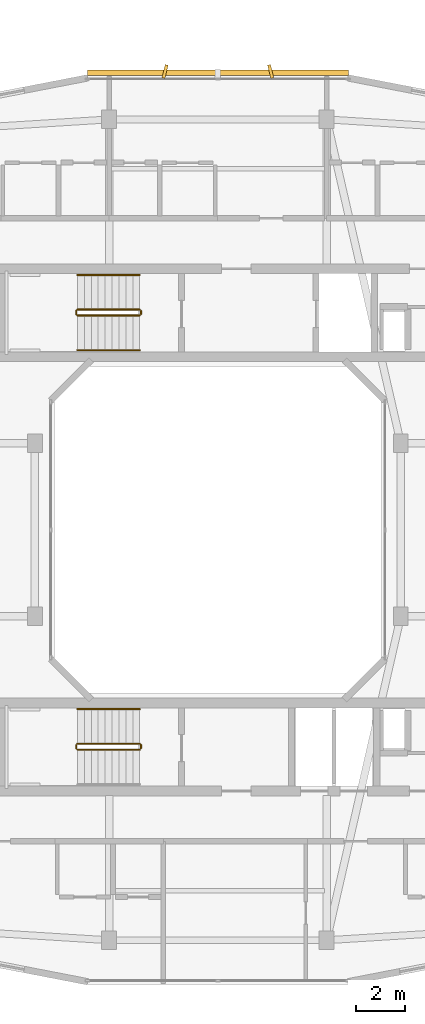
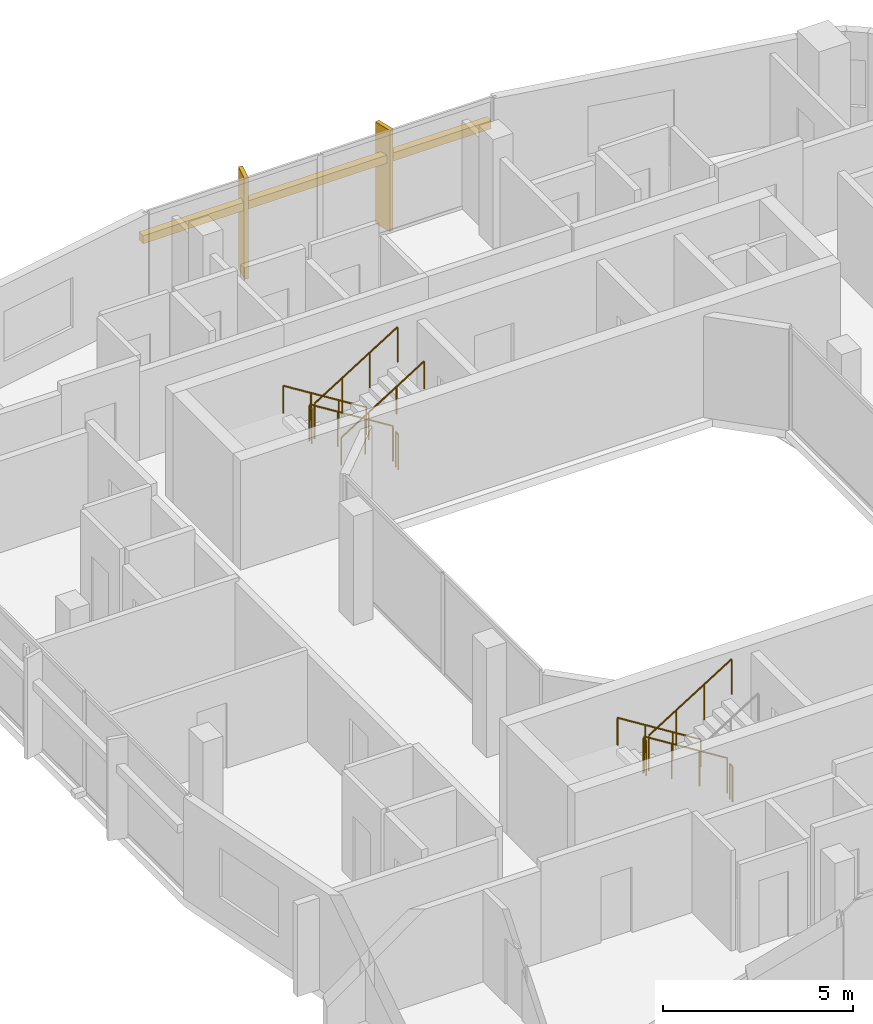
# One storey, part 26 of 26: 11 railings, 3 shading devices.
"""IFC4 building model written with IfcOpenShell, lengths in metres."""

from ifc_helpers import new_model, si_unit, derived_unit, direction, frame, origin, origin_2d, place, context, subcontext, project, spatial, rectangle, circle, extrude, material, type_object, element, save


model = new_model("IFC4")

# Units and contexts
model_context = context("Model", 3, precision=1e-05, world=origin(), true_north=direction((0.0, 1.0)))
body_context = subcontext(model_context, "Body", "Model", "MODEL_VIEW")
ifc_project = project(units=[si_unit("LENGTHUNIT", "METRE"), si_unit("AREAUNIT", "SQUARE_METRE"), si_unit("VOLUMEUNIT", "CUBIC_METRE"), si_unit("PLANEANGLEUNIT", "RADIAN"), si_unit("MASSUNIT", "GRAM", prefix="KILO"), derived_unit("THERMALTRANSMITTANCEUNIT", [(si_unit("POWERUNIT", "WATT"), 1), (si_unit("LENGTHUNIT", "METRE"), -2), (si_unit("THERMODYNAMICTEMPERATUREUNIT", "KELVIN"), -1)])], contexts=[model_context])

# Site, building, storey
site_placement = place(None, origin())
site = spatial("IfcSite", under=ifc_project, at=site_placement, CompositionType="ELEMENT")
building_placement = place(site_placement, origin())
building = spatial("IfcBuilding", under=site, at=building_placement, Name="Kivonza Crest Hotel", CompositionType="ELEMENT")
storey_placement = place(building_placement, frame((0.0, 0.0, 105.5)))
storey = spatial("IfcBuildingStorey", under=building, at=storey_placement, Name="L28", CompositionType="ELEMENT", Elevation=105.5)

# Railings
ifc_material_1 = material(Name="Brushed stainless steel handrail", Category="steel")
railing_type_1 = type_object("IfcRailingType", Name="RL-HAND-900", PredefinedType="HANDRAIL", material=ifc_material_1)
railing_1_placement = place(storey_placement, frame((73.840087890625, 35.31005859375, 0.175048828125)))
element("IfcRailing", 1, at=railing_1_placement, inside=storey, type_object=railing_type_1, Name="L28 ST-T2-N stair handrail 1", PredefinedType="HANDRAIL", context=body_context, shape_type="SweptSolid", body=[
    extrude(circle(Radius=0.02392578125, at=origin_2d()), frame((0.0, 0.0, 0.8759765625), z_axis=(-0.848007534815, 0.0, 0.529984170421), x_axis=(0.0, -1.0, 0.0)), (0.0, 0.0, 1.0), 2.9716796875),
    extrude(circle(Radius=0.02099609375, at=origin_2d()), origin(), (0.0, 0.0, 1.0), 0.851806640625),
    extrude(circle(Radius=0.02099609375, at=origin_2d()), frame((-0.840087890625, 0.0, 0.52490234375)), (0.0, 0.0, 1.0), 0.851806640625),
    extrude(circle(Radius=0.02099609375, at=origin_2d()), frame((-1.679931640625, 0.0, 1.050048828125)), (0.0, 0.0, 1.0), 0.851806640625),
    extrude(circle(Radius=0.02099609375, at=origin_2d()), frame((-2.52001953125, 0.0, 1.574951171875)), (0.0, 0.0, 1.0), 0.851806640625),
])
railing_2_placement = place(storey_placement, frame((71.320068359375, 32.27001953125, 1.925048828125)))
element("IfcRailing", 2, at=railing_2_placement, inside=storey, type_object=railing_type_1, Name="L28 ST-T2-N stair handrail 2", PredefinedType="HANDRAIL", context=body_context, shape_type="SweptSolid", body=[
    extrude(circle(Radius=0.02392578125, at=origin_2d()), frame((0.0, 0.0, 0.8759765625), z_axis=(0.848007534815, 0.0, 0.529984170421), x_axis=(0.0, 1.0, 0.0)), (0.0, 0.0, 1.0), 2.9716796875),
    extrude(circle(Radius=0.02099609375, at=origin_2d()), origin(), (0.0, 0.0, 1.0), 0.851806640625),
    extrude(circle(Radius=0.02099609375, at=origin_2d()), frame((0.840087890625, 0.0, 0.52490234375)), (0.0, 0.0, 1.0), 0.851806640625),
    extrude(circle(Radius=0.02099609375, at=origin_2d()), frame((1.679931640625, 0.0, 1.050048828125)), (0.0, 0.0, 1.0), 0.851806640625),
    extrude(circle(Radius=0.02099609375, at=origin_2d()), frame((2.52001953125, 0.0, 1.574951171875)), (0.0, 0.0, 1.0), 0.851806640625),
])
railing_3_placement = place(storey_placement, frame((73.840087890625, 17.75, 0.175048828125)))
element("IfcRailing", 3, at=railing_3_placement, inside=storey, type_object=railing_type_1, Name="L28 ST-T2-S stair handrail 1", PredefinedType="HANDRAIL", context=body_context, shape_type="SweptSolid", body=[
    extrude(circle(Radius=0.02392578125, at=origin_2d()), frame((0.0, 0.0, 0.8759765625), z_axis=(-0.848007534815, 0.0, 0.529984170421), x_axis=(0.0, -1.0, 0.0)), (0.0, 0.0, 1.0), 2.9716796875),
    extrude(circle(Radius=0.02099609375, at=origin_2d()), origin(), (0.0, 0.0, 1.0), 0.851806640625),
    extrude(circle(Radius=0.02099609375, at=origin_2d()), frame((-0.840087890625, 0.0, 0.52490234375)), (0.0, 0.0, 1.0), 0.851806640625),
    extrude(circle(Radius=0.02099609375, at=origin_2d()), frame((-1.679931640625, 0.0, 1.050048828125)), (0.0, 0.0, 1.0), 0.851806640625),
    extrude(circle(Radius=0.02099609375, at=origin_2d()), frame((-2.52001953125, 0.0, 1.574951171875)), (0.0, 0.0, 1.0), 0.851806640625),
])
ifc_material_2 = material(Name="Painted steel balustrade", Category="steel")
railing_type_2 = type_object("IfcRailingType", Name="RL-STAIR-1150", PredefinedType="BALUSTRADE", material=ifc_material_2)
railing_4_placement = place(storey_placement, frame((73.840087890625, 33.909912109375, 0.175048828125)))
element("IfcRailing", 4, at=railing_4_placement, inside=storey, type_object=railing_type_2, Name="L28 ST-T2-N stair guard 1", PredefinedType="BALUSTRADE", context=body_context, shape_type="SweptSolid", body=[
    extrude(circle(Radius=0.02392578125, at=origin_2d()), frame((0.0, 0.0, 1.1259765625), z_axis=(-0.848007534815, 0.0, 0.529984170421), x_axis=(0.0, -1.0, 0.0)), (0.0, 0.0, 1.0), 2.9716796875),
    extrude(circle(Radius=0.02099609375, at=origin_2d()), origin(), (0.0, 0.0, 1.0), 1.101806640625),
    extrude(circle(Radius=0.02099609375, at=origin_2d()), frame((-0.840087890625, 0.0, 0.52490234375)), (0.0, 0.0, 1.0), 1.101806640625),
    extrude(circle(Radius=0.02099609375, at=origin_2d()), frame((-1.679931640625, 0.0, 1.050048828125)), (0.0, 0.0, 1.0), 1.101806640625),
    extrude(circle(Radius=0.02099609375, at=origin_2d()), frame((-2.52001953125, 0.0, 1.574951171875)), (0.0, 0.0, 1.0), 1.101806640625),
])
railing_5_placement = place(storey_placement, frame((71.27001953125, 33.860107421875, 1.75)))
element("IfcRailing", 5, at=railing_5_placement, inside=storey, type_object=railing_type_2, Name="L28 ST-T2-N stair guard 2", PredefinedType="BALUSTRADE", context=body_context, shape_type="SweptSolid", body=[
    extrude(circle(Radius=0.02392578125, at=origin_2d()), frame((0.0, 0.0, 1.1259765625), z_axis=(0.0, -1.0, 0.0), x_axis=(1.0, 0.0, 0.0)), (0.0, 0.0, 1.0), 0.14013671875),
    extrude(circle(Radius=0.02099609375, at=origin_2d()), origin(), (0.0, 0.0, 1.0), 1.101806640625),
    extrude(circle(Radius=0.02099609375, at=origin_2d()), frame((0.0, -0.14013671875, 0.0)), (0.0, 0.0, 1.0), 1.101806640625),
])
railing_6_placement = place(storey_placement, frame((71.320068359375, 33.669921875, 1.925048828125)))
element("IfcRailing", 6, at=railing_6_placement, inside=storey, type_object=railing_type_2, Name="L28 ST-T2-N stair guard 3", PredefinedType="BALUSTRADE", context=body_context, shape_type="SweptSolid", body=[
    extrude(circle(Radius=0.02392578125, at=origin_2d()), frame((0.0, 0.0, 1.1259765625), z_axis=(0.848007534815, 0.0, 0.529984170421), x_axis=(0.0, 1.0, 0.0)), (0.0, 0.0, 1.0), 2.9716796875),
    extrude(circle(Radius=0.02099609375, at=origin_2d()), origin(), (0.0, 0.0, 1.0), 1.101806640625),
    extrude(circle(Radius=0.02099609375, at=origin_2d()), frame((0.840087890625, 0.0, 0.52490234375)), (0.0, 0.0, 1.0), 1.101806640625),
    extrude(circle(Radius=0.02099609375, at=origin_2d()), frame((1.679931640625, 0.0, 1.050048828125)), (0.0, 0.0, 1.0), 1.101806640625),
    extrude(circle(Radius=0.02099609375, at=origin_2d()), frame((2.52001953125, 0.0, 1.574951171875)), (0.0, 0.0, 1.0), 1.101806640625),
])
railing_7_placement = place(storey_placement, frame((73.889892578125, 33.860107421875, 0.0)))
element("IfcRailing", 7, at=railing_7_placement, inside=storey, type_object=railing_type_2, Name="L28 ST-T2-N stair guard 4", PredefinedType="BALUSTRADE", context=body_context, shape_type="SweptSolid", body=[
    extrude(circle(Radius=0.02392578125, at=origin_2d()), frame((0.0, 0.0, 1.1259765625), z_axis=(0.0, -1.0, 0.0), x_axis=(1.0, 0.0, 0.0)), (0.0, 0.0, 1.0), 0.14013671875),
    extrude(circle(Radius=0.02099609375, at=origin_2d()), origin(), (0.0, 0.0, 1.0), 1.101806640625),
    extrude(circle(Radius=0.02099609375, at=origin_2d()), frame((0.0, -0.14013671875, 0.0)), (0.0, 0.0, 1.0), 1.101806640625),
])
railing_8_placement = place(storey_placement, frame((73.840087890625, 16.35009765625, 0.175048828125)))
element("IfcRailing", 8, at=railing_8_placement, inside=storey, type_object=railing_type_2, Name="L28 ST-T2-S stair guard 1", PredefinedType="BALUSTRADE", context=body_context, shape_type="SweptSolid", body=[
    extrude(circle(Radius=0.02392578125, at=origin_2d()), frame((0.0, 0.0, 1.1259765625), z_axis=(-0.848007534815, 0.0, 0.529984170421), x_axis=(0.0, -1.0, 0.0)), (0.0, 0.0, 1.0), 2.9716796875),
    extrude(circle(Radius=0.02099609375, at=origin_2d()), origin(), (0.0, 0.0, 1.0), 1.101806640625),
    extrude(circle(Radius=0.02099609375, at=origin_2d()), frame((-0.840087890625, 0.0, 0.52490234375)), (0.0, 0.0, 1.0), 1.101806640625),
    extrude(circle(Radius=0.02099609375, at=origin_2d()), frame((-1.679931640625, 0.0, 1.050048828125)), (0.0, 0.0, 1.0), 1.101806640625),
    extrude(circle(Radius=0.02099609375, at=origin_2d()), frame((-2.52001953125, 0.0, 1.574951171875)), (0.0, 0.0, 1.0), 1.101806640625),
])
railing_9_placement = place(storey_placement, frame((71.27001953125, 16.300048828125, 1.75)))
element("IfcRailing", 9, at=railing_9_placement, inside=storey, type_object=railing_type_2, Name="L28 ST-T2-S stair guard 2", PredefinedType="BALUSTRADE", context=body_context, shape_type="SweptSolid", body=[
    extrude(circle(Radius=0.02392578125, at=origin_2d()), frame((0.0, 0.0, 1.1259765625), z_axis=(0.0, -1.0, 0.0), x_axis=(1.0, 0.0, 0.0)), (0.0, 0.0, 1.0), 0.14013671875),
    extrude(circle(Radius=0.02099609375, at=origin_2d()), origin(), (0.0, 0.0, 1.0), 1.101806640625),
    extrude(circle(Radius=0.02099609375, at=origin_2d()), frame((0.0, -0.14013671875, 0.0)), (0.0, 0.0, 1.0), 1.101806640625),
])
railing_10_placement = place(storey_placement, frame((71.320068359375, 16.110107421875, 1.925048828125)))
element("IfcRailing", 10, at=railing_10_placement, inside=storey, type_object=railing_type_2, Name="L28 ST-T2-S stair guard 3", PredefinedType="BALUSTRADE", context=body_context, shape_type="SweptSolid", body=[
    extrude(circle(Radius=0.02392578125, at=origin_2d()), frame((0.0, 0.0, 1.1259765625), z_axis=(0.848007534815, 0.0, 0.529984170421), x_axis=(0.0, 1.0, 0.0)), (0.0, 0.0, 1.0), 2.9716796875),
    extrude(circle(Radius=0.02099609375, at=origin_2d()), origin(), (0.0, 0.0, 1.0), 1.101806640625),
    extrude(circle(Radius=0.02099609375, at=origin_2d()), frame((0.840087890625, 0.0, 0.52490234375)), (0.0, 0.0, 1.0), 1.101806640625),
    extrude(circle(Radius=0.02099609375, at=origin_2d()), frame((1.679931640625, 0.0, 1.050048828125)), (0.0, 0.0, 1.0), 1.101806640625),
    extrude(circle(Radius=0.02099609375, at=origin_2d()), frame((2.52001953125, 0.0, 1.574951171875)), (0.0, 0.0, 1.0), 1.101806640625),
])
railing_11_placement = place(storey_placement, frame((73.889892578125, 16.300048828125, 0.0)))
element("IfcRailing", 11, at=railing_11_placement, inside=storey, type_object=railing_type_2, Name="L28 ST-T2-S stair guard 4", PredefinedType="BALUSTRADE", context=body_context, shape_type="SweptSolid", body=[
    extrude(circle(Radius=0.02392578125, at=origin_2d()), frame((0.0, 0.0, 1.1259765625), z_axis=(0.0, -1.0, 0.0), x_axis=(1.0, 0.0, 0.0)), (0.0, 0.0, 1.0), 0.14013671875),
    extrude(circle(Radius=0.02099609375, at=origin_2d()), origin(), (0.0, 0.0, 1.0), 1.101806640625),
    extrude(circle(Radius=0.02099609375, at=origin_2d()), frame((0.0, -0.14013671875, 0.0)), (0.0, 0.0, 1.0), 1.101806640625),
])

# Shading devices
ifc_material_3 = material(Name="Kiln-fired Nairobi red-ochre terracotta", Category="masonry")
shading_device_type_1 = type_object("IfcShadingDeviceType", Name="SH-BAGUETTE-300", PredefinedType="USERDEFINED", material=ifc_material_3)
shading_device_placement = place(storey_placement, frame((77.0, 43.47998046875, 2.14501953125), z_axis=(0.0, 0.0, 1.0), x_axis=(-1.0, 0.0, 0.0)))
element("IfcShadingDevice", 12, at=shading_device_placement, inside=storey, type_object=shading_device_type_1, Name="L28 terracotta baguette screen CW-T2-L28-26", ObjectType="BAGUETTE", PredefinedType="USERDEFINED", context=body_context, shape_type="SweptSolid", body=[
    extrude(rectangle(XDim=10.56005859375, YDim=0.219970703125, at=origin_2d()), origin(), (0.0, 0.0, 1.0), 0.260009765625),
])
ifc_material_4 = material(Name="Kiln-fired terracotta over extruded aluminium spine", Category="masonry")
shading_device_type_2 = type_object("IfcShadingDeviceType", Name="SH-FIN-550", PredefinedType="USERDEFINED", material=ifc_material_4)
for number, where, z_axis, x_axis, name in (
    (13, (79.135986328125, 43.5400390625, 0.0), (0.0, 0.0, 1.0), (-0.970295726276, -0.2419218956, 0.0), "L28 vertical solar shading fin CW-T2-L28-26-1"),
    (14, (74.864013671875, 43.5400390625, 0.0), (0.0, 0.0, 1.0), (-0.970295726276, 0.2419218956, 0.0), "L28 vertical solar shading fin CW-T2-L28-26-2"),
):
    element("IfcShadingDevice", number, at=place(storey_placement, frame(where, z_axis=z_axis, x_axis=x_axis)), inside=storey, type_object=shading_device_type_2, Name=name, ObjectType="FIN", PredefinedType="USERDEFINED", context=body_context, shape_type="SweptSolid", body=[
        extrude(rectangle(XDim=0.1201171875, YDim=0.550048828125, at=origin_2d()), origin(), (0.0, 0.0, 1.0), 3.25),
    ])

save(model, "model.ifc")
